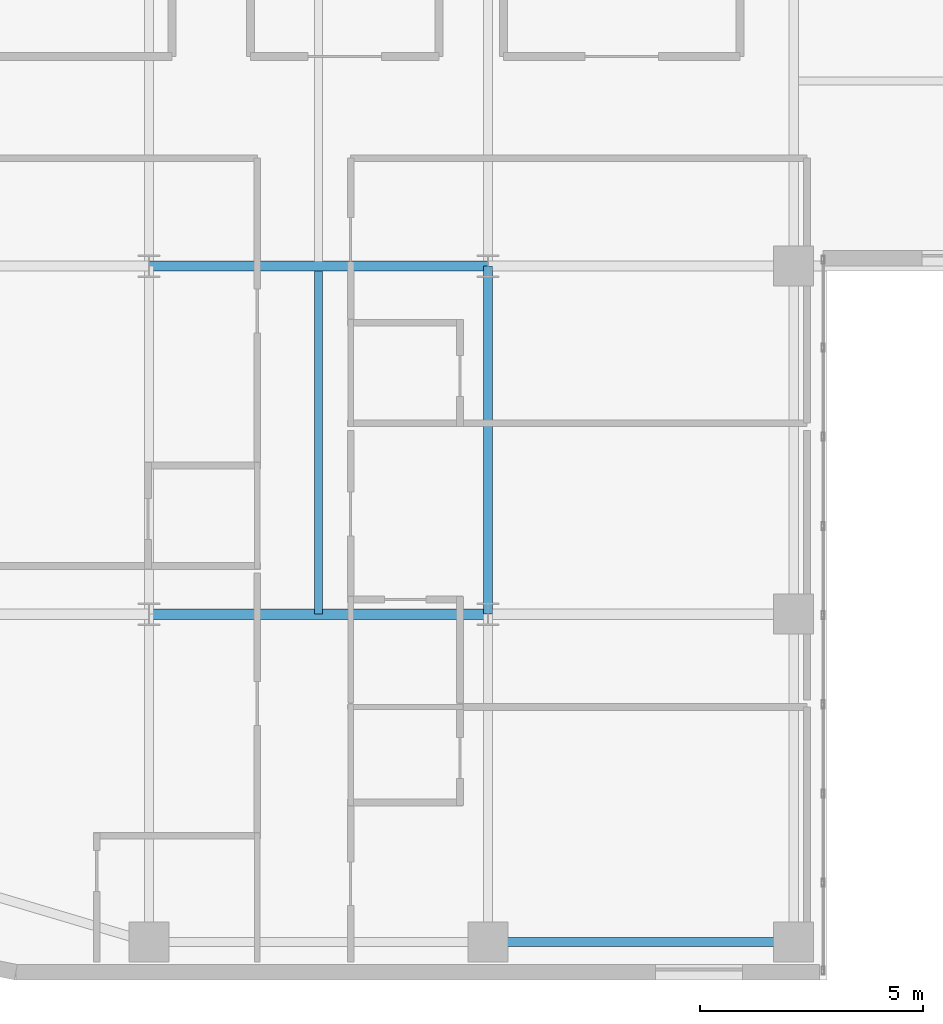
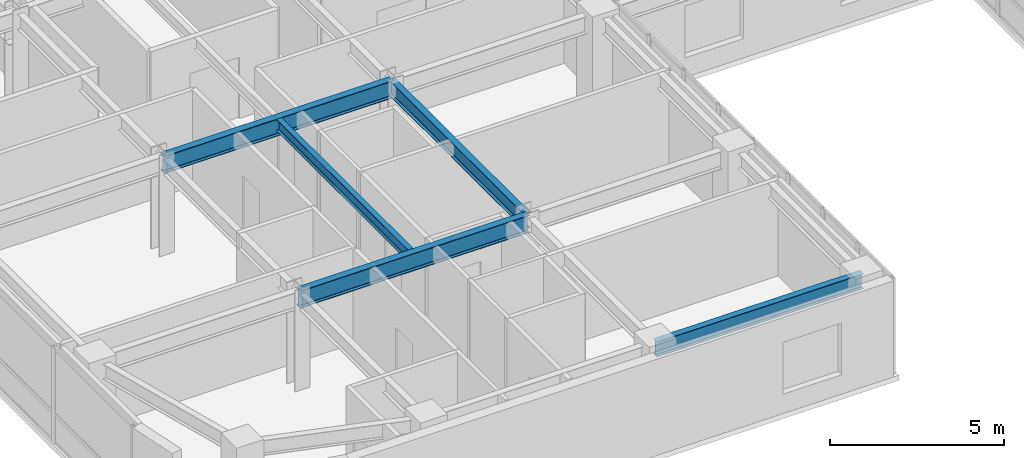
# One storey, part 5 of 30: 5 beams.
"""IFC4 building model written with IfcOpenShell, lengths in metres."""

from ifc_helpers import new_model, si_unit, direction, frame, origin, origin_2d, place, context, subcontext, project, spatial, i_section, extrude, source, transform, mapped, material, material_profile, profile_set, type_object, type_shapes, element, save


model = new_model("IFC4")

# Units and contexts
model_context = context("Model", 3, precision=1e-05, world=origin(), true_north=direction((0.0, 1.0)))
body_context = subcontext(model_context, "Body", "Model", "MODEL_VIEW")
ifc_project = project(units=[si_unit("LENGTHUNIT", "METRE"), si_unit("AREAUNIT", "SQUARE_METRE"), si_unit("VOLUMEUNIT", "CUBIC_METRE"), si_unit("PLANEANGLEUNIT", "RADIAN"), si_unit("MASSUNIT", "GRAM", prefix="KILO")], contexts=[model_context])

# Site, building, storey
site_placement = place(None, origin())
site = spatial("IfcSite", under=ifc_project, at=site_placement, CompositionType="ELEMENT")
building_placement = place(site_placement, origin())
building = spatial("IfcBuilding", under=site, at=building_placement, Name="Tolvann Quenvar Hotel", CompositionType="ELEMENT")
storey_placement = place(building_placement, frame((0.0, 0.0, 100.89990234375)))
storey = spatial("IfcBuildingStorey", under=building, at=storey_placement, Name="L25", CompositionType="ELEMENT", Elevation=100.89990234375)

# Beams
ifc_material = material(Name="Steel Grade 350", Category="steel")
ifc_material_profile_1 = material_profile(ifc_material, i_section(OverallWidth=0.208984375, OverallDepth=0.528076171875, WebThickness=0.009521484375, FlangeThickness=0.01318359375, FilletRadius=0.013916015625, at=origin_2d()), Name="530UB82")
ifc_profile_set_1 = profile_set([ifc_material_profile_1], Name="Steel Grade 350")
beam_type_1 = type_object("IfcBeamType", Name="BM_SPAND_530UB82", PredefinedType="SPANDREL", material=ifc_profile_set_1)
shared_shape_1 = source(origin(), body_context, "Body", "SweptSolid", [
    extrude(i_section(OverallWidth=0.208984375, OverallDepth=0.528076171875, WebThickness=0.009521484375, FlangeThickness=0.01318359375, FilletRadius=0.013916015625, at=origin_2d()), origin(), (0.0, 0.0, 1.0), 6.85009765625),
])
type_shapes(beam_type_1, [shared_shape_1])
beam_1_placement = place(storey_placement, frame((15.199951171875, 0.85009765625, 3.106201171875), z_axis=(1.0, 0.0, 0.0), x_axis=(0.0, 1.0, 0.0)))
element("IfcBeam", 1, at=beam_1_placement, inside=storey, type_object=beam_type_1, Name="BM-L25-EW-2-D2-E2", PredefinedType="SPANDREL", context=body_context, shape_type="MappedRepresentation", body=[
    mapped(shared_shape_1, transform((0.0, 0.0, 0.0), x_axis=(1.0, 0.0, 0.0), y_axis=(0.0, 1.0, 0.0), z_axis=(0.0, 0.0, 1.0), scale=1.0)),
])
ifc_material_profile_2 = material_profile(ifc_material, i_section(OverallWidth=0.22900390625, OverallDepth=0.612060546875, WebThickness=0.011962890625, FlangeThickness=0.01953125, FilletRadius=0.013916015625, at=origin_2d()), Name="610UB125")
ifc_profile_set_2 = profile_set([ifc_material_profile_2], Name="Steel Grade 350")
beam_type_2 = type_object("IfcBeamType", Name="BM_GIRD_610UB125", PredefinedType="BEAM", material=ifc_profile_set_2)
shared_shape_2 = source(origin(), body_context, "Body", "SweptSolid", [
    extrude(i_section(OverallWidth=0.22900390625, OverallDepth=0.612060546875, WebThickness=0.011962890625, FlangeThickness=0.01953125, FilletRadius=0.013916015625, at=origin_2d()), origin(), (0.0, 0.0, 1.0), 7.599853515625),
])
type_shapes(beam_type_2, [shared_shape_2])
for number, where, z_axis, x_axis, name in (
    (2, (7.60009765625, 8.199951171875, 3.064208984375), (1.0, 0.0, 0.0), (0.0, 1.0, 0.0), "BM-L25-EW-3-C3-D3"),
    (3, (7.60009765625, 16.0, 3.064208984375), (1.0, 0.0, 0.0), (0.0, 1.0, 0.0), "BM-L25-EW-4-C4-D4"),
):
    element("IfcBeam", number, at=place(storey_placement, frame(where, z_axis=z_axis, x_axis=x_axis)), inside=storey, type_object=beam_type_2, Name=name, PredefinedType="BEAM", context=body_context, shape_type="MappedRepresentation", body=[
        mapped(shared_shape_2, transform((0.0, 0.0, 0.0), x_axis=(1.0, 0.0, 0.0), y_axis=(0.0, 1.0, 0.0), z_axis=(0.0, 0.0, 1.0), scale=1.0)),
    ])
ifc_material_profile_3 = material_profile(ifc_material, i_section(OverallWidth=0.208984375, OverallDepth=0.532958984375, WebThickness=0.01025390625, FlangeThickness=0.015625, FilletRadius=0.013916015625, at=origin_2d()), Name="530UB92")
ifc_profile_set_3 = profile_set([ifc_material_profile_3], Name="Steel Grade 350")
beam_type_3 = type_object("IfcBeamType", Name="BM_GIRD_530UB92", PredefinedType="BEAM", material=ifc_profile_set_3)
shared_shape_3 = source(origin(), body_context, "Body", "SweptSolid", [
    extrude(i_section(OverallWidth=0.208984375, OverallDepth=0.532958984375, WebThickness=0.01025390625, FlangeThickness=0.015625, FilletRadius=0.013916015625, at=origin_2d()), origin(), (0.0, 0.0, 1.0), 7.800048828125),
])
type_shapes(beam_type_3, [shared_shape_3])
beam_2_placement = place(storey_placement, frame((15.199951171875, 8.199951171875, 3.103515625), z_axis=(0.0, 1.0, 0.0), x_axis=(-1.0, 0.0, 0.0)))
element("IfcBeam", 4, at=beam_2_placement, inside=storey, type_object=beam_type_3, Name="BM-L25-NS-D3-D4", PredefinedType="BEAM", context=body_context, shape_type="MappedRepresentation", body=[
    mapped(shared_shape_3, transform((0.0, 0.0, 0.0), x_axis=(1.0, 0.0, 0.0), y_axis=(0.0, 1.0, 0.0), z_axis=(0.0, 0.0, 1.0), scale=1.0)),
])
ifc_material_profile_4 = material_profile(ifc_material, i_section(OverallWidth=0.177978515625, OverallDepth=0.406005859375, WebThickness=0.0078125, FlangeThickness=0.0126953125, FilletRadius=0.011474609375, at=origin_2d()), Name="410UB60")
ifc_profile_set_4 = profile_set([ifc_material_profile_4], Name="Steel Grade 350")
beam_type_4 = type_object("IfcBeamType", Name="BM_JOIST_410UB60", PredefinedType="JOIST", material=ifc_profile_set_4)
shared_shape_4 = source(origin(), body_context, "Body", "SweptSolid", [
    extrude(i_section(OverallWidth=0.177978515625, OverallDepth=0.406005859375, WebThickness=0.0078125, FlangeThickness=0.0126953125, FilletRadius=0.011474609375, at=origin_2d()), origin(), (0.0, 0.0, 1.0), 7.691650390625),
])
type_shapes(beam_type_4, [shared_shape_4])
beam_3_placement = place(storey_placement, frame((11.39990234375, 8.199951171875, 3.1669921875), z_axis=(0.0, 1.0, 0.0), x_axis=(-1.0, 0.0, 0.0)))
element("IfcBeam", 5, at=beam_3_placement, inside=storey, type_object=beam_type_4, Name="BJ-L25-114-82", PredefinedType="JOIST", context=body_context, shape_type="MappedRepresentation", body=[
    mapped(shared_shape_4, transform((0.0, 0.0, 0.0), x_axis=(1.0, 0.0, 0.0), y_axis=(0.0, 1.0, 0.0), z_axis=(0.0, 0.0, 1.0), scale=1.0)),
])

save(model, "model.ifc")
